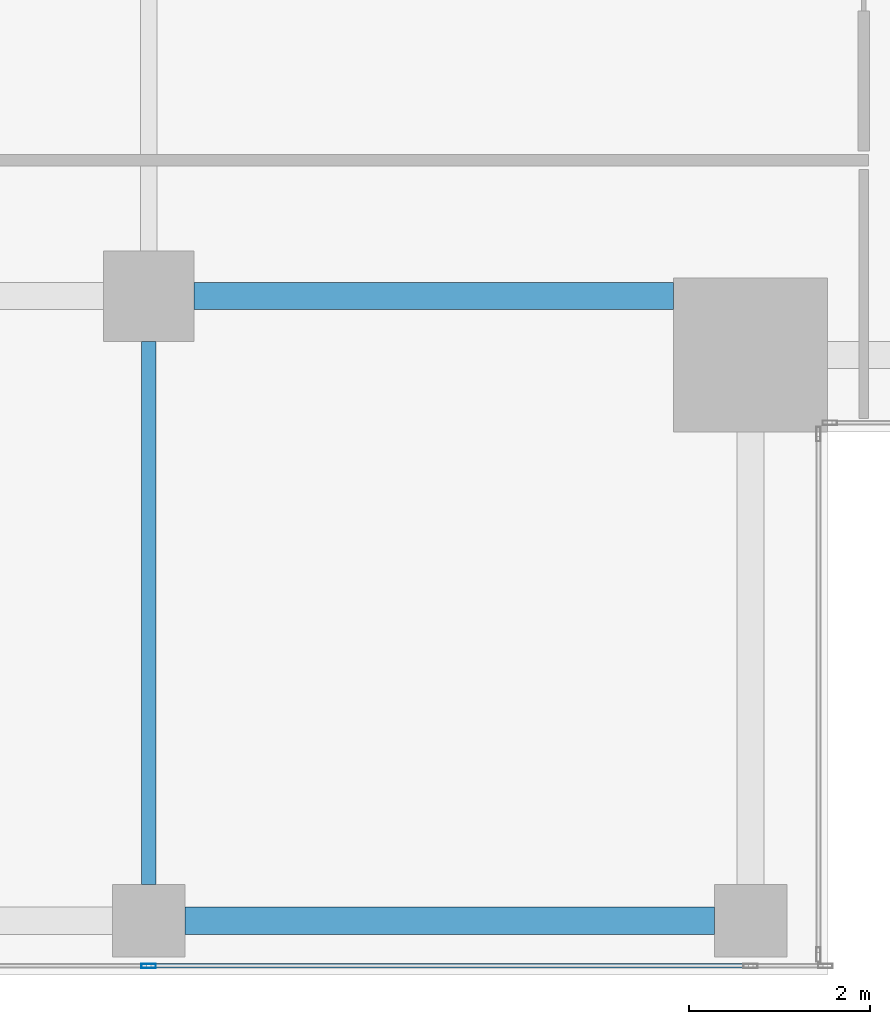
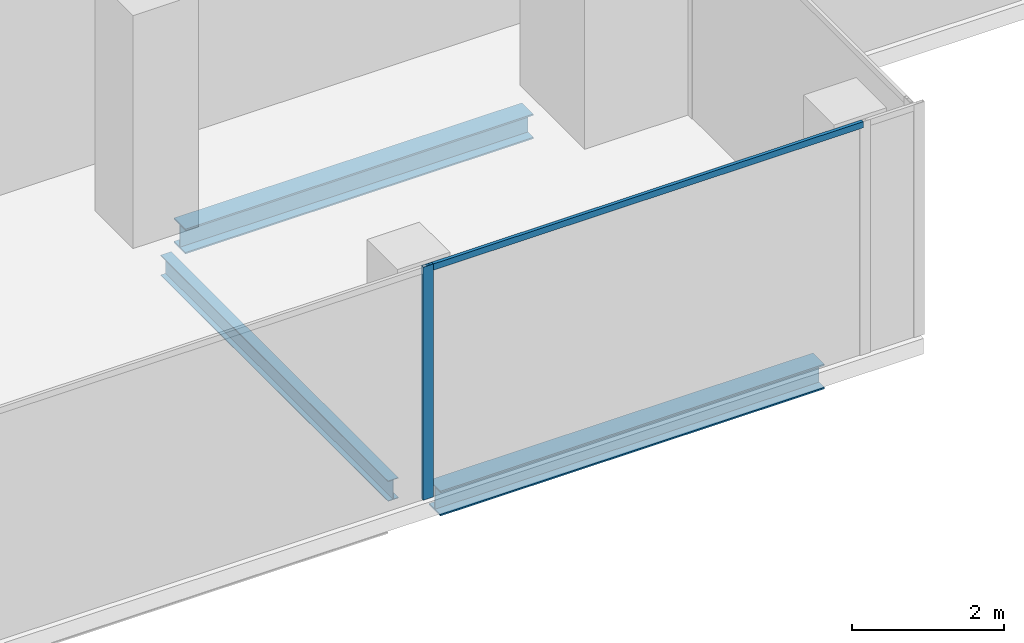
# One storey, part 7 of 29: 3 beams, 2 members, 1 element without a shape of its own.
"""IFC4 building model written with IfcOpenShell, lengths in metres."""

from ifc_helpers import new_model, si_unit, direction, frame, origin, origin_2d, place, context, subcontext, project, spatial, hollow_rectangle, i_section, extrude, source, transform, mapped, material, material_profile, profile_set, type_object, element, aggregate, save


model = new_model("IFC4")

# Units and contexts
model_context = context("Model", 3, precision=1e-05, world=origin(), true_north=direction((0.0, 1.0)))
body_context = subcontext(model_context, "Body", "Model", "MODEL_VIEW")
ifc_project = project(units=[si_unit("LENGTHUNIT", "METRE"), si_unit("AREAUNIT", "SQUARE_METRE"), si_unit("VOLUMEUNIT", "CUBIC_METRE"), si_unit("PLANEANGLEUNIT", "RADIAN"), si_unit("MASSUNIT", "GRAM", prefix="KILO")], contexts=[model_context])

# Site, building, storey
site_placement = place(None, origin())
site = spatial("IfcSite", under=ifc_project, at=site_placement, CompositionType="ELEMENT")
building_placement = place(site_placement, origin())
building = spatial("IfcBuilding", under=site, at=building_placement, Name="Khomas Fold Tower", CompositionType="ELEMENT")
storey_placement = place(building_placement, frame((0.0, 0.0, 310.199951171875)))
storey = spatial("IfcBuildingStorey", under=building, at=storey_placement, Name="L70", CompositionType="ELEMENT", Elevation=310.199951171875)

# Beams
ifc_material_1 = material(Name="Steel S355", Category="steel")
ifc_material_profile_1 = material_profile(ifc_material_1, i_section(OverallWidth=0.300048828125, OverallDepth=0.39990234375, WebThickness=0.013427734375, FlangeThickness=0.02392578125, at=origin_2d()), Name="HE 400 B")
ifc_profile_set_1 = profile_set([ifc_material_profile_1], Name="Steel S355")
beam_type_1 = type_object("IfcBeamType", Name="HE 400 B spandrel SB5", PredefinedType="SPANDREL", material=ifc_profile_set_1)
shared_shape_1 = source(origin(), body_context, "Body", "SweptSolid", [
    extrude(i_section(OverallWidth=0.300048828125, OverallDepth=0.39990234375, WebThickness=0.013427734375, FlangeThickness=0.02392578125, at=origin_2d()), origin(), (0.0, 0.0, 1.0), 5.85009765625),
])
beam_1_placement = place(storey_placement, frame((34.89990234375, 6.60009765625, -0.449951171875), z_axis=(1.0, 0.0, 0.0), x_axis=(0.0, 1.0, 0.0)))
element("IfcBeam", 1, at=beam_1_placement, inside=storey, type_object=beam_type_1, Name="SB5", PredefinedType="SPANDREL", context=body_context, shape_type="MappedRepresentation", body=[
    mapped(shared_shape_1, transform((0.0, 0.0, 0.0))),
])
ifc_material_2 = material(Name="Steel S355", Category="steel")
ifc_material_profile_2 = material_profile(ifc_material_2, i_section(OverallWidth=0.300048828125, OverallDepth=0.39990234375, WebThickness=0.013427734375, FlangeThickness=0.02392578125, at=origin_2d()), Name="HE 400 B")
ifc_profile_set_2 = profile_set([ifc_material_profile_2], Name="Steel S355")
beam_type_2 = type_object("IfcBeamType", Name="HE 400 B beam GB1", PredefinedType="BEAM", material=ifc_profile_set_2)
shared_shape_2 = source(origin(), body_context, "Body", "SweptSolid", [
    extrude(i_section(OverallWidth=0.300048828125, OverallDepth=0.39990234375, WebThickness=0.013427734375, FlangeThickness=0.02392578125, at=origin_2d()), origin(), (0.0, 0.0, 1.0), 5.300048828125),
])
beam_2_placement = place(storey_placement, frame((35.0, 13.5, -0.449951171875), z_axis=(1.0, 0.0, 0.0), x_axis=(0.0, 1.0, 0.0)))
element("IfcBeam", 2, at=beam_2_placement, inside=storey, type_object=beam_type_2, Name="GB1", PredefinedType="BEAM", context=body_context, shape_type="MappedRepresentation", body=[
    mapped(shared_shape_2, transform((0.0, 0.0, 0.0))),
])
ifc_material_3 = material(Name="Steel S355", Category="steel")
ifc_material_profile_3 = material_profile(ifc_material_3, i_section(OverallWidth=0.159912109375, OverallDepth=0.330078125, WebThickness=0.007568359375, FlangeThickness=0.011474609375, at=origin_2d()), Name="IPE 330")
ifc_profile_set_3 = profile_set([ifc_material_profile_3], Name="Steel S355")
beam_type_3 = type_object("IfcBeamType", Name="IPE 330 beam JB1", PredefinedType="BEAM", material=ifc_profile_set_3)
shared_shape_3 = source(origin(), body_context, "Body", "SweptSolid", [
    extrude(i_section(OverallWidth=0.159912109375, OverallDepth=0.330078125, WebThickness=0.007568359375, FlangeThickness=0.011474609375, at=origin_2d()), origin(), (0.0, 0.0, 1.0), 6.0),
])
beam_3_placement = place(storey_placement, frame((34.5, 7.0, -0.4150390625), z_axis=(0.0, 1.0, 0.0), x_axis=(-1.0, 0.0, 0.0)))
element("IfcBeam", 3, at=beam_3_placement, inside=storey, type_object=beam_type_3, Name="JB1", PredefinedType="BEAM", context=body_context, shape_type="MappedRepresentation", body=[
    mapped(shared_shape_3, transform((0.0, 0.0, 0.0))),
])

# Curtain wall, members
ifc_material_4 = material(Name="Aluminium framed double glazing", Category="aluminium")
curtain_wall_type = type_object("IfcCurtainWallType", Name="SK-Unitised clear-glass wall, upper floors CW3", PredefinedType="NOTDEFINED", material=ifc_material_4)
curtain_wall_placement = place(storey_placement, origin())
curtain_wall = element("IfcCurtainWall", 4, at=curtain_wall_placement, inside=storey, type_object=curtain_wall_type, Name="CW3 run L70 00-0", PredefinedType="NOTDEFINED")
ifc_material_5 = material(Name="Aluminium", Category="aluminium")
ifc_material_profile_4 = material_profile(ifc_material_5, hollow_rectangle(XDim=0.050048828125, YDim=0.159912109375, WallThickness=0.00390625, at=origin_2d()), Name="SK-Unitised clear-glass wall, upper floors mullion CW3-M")
ifc_profile_set_4 = profile_set([ifc_material_profile_4], Name="Aluminium")
member_type_1 = type_object("IfcMemberType", Name="SK-Unitised clear-glass wall, upper floors mullion CW3-M", PredefinedType="MULLION", material=ifc_profile_set_4)
shared_shape_4 = source(origin(), body_context, "Body", "SweptSolid", [
    extrude(hollow_rectangle(XDim=0.050048828125, YDim=0.159912109375, WallThickness=0.00390625, at=origin_2d()), origin(), (0.0, 0.0, 1.0), 3.75),
])
member_1_placement = place(storey_placement, frame((34.5, 6.10009765625, 0.0), z_axis=(0.0, 0.0, 1.0), x_axis=(0.0, 1.0, 0.0)))
member_1 = element("IfcMember", 5, at=member_1_placement, type_object=member_type_1, Name="CW3 mullion 5", PredefinedType="MULLION", context=body_context, shape_type="MappedRepresentation", body=[
    mapped(shared_shape_4, transform((0.0, 0.0, 0.0))),
])
ifc_material_6 = material(Name="Aluminium", Category="aluminium")
ifc_material_profile_5 = material_profile(ifc_material_6, hollow_rectangle(XDim=0.050048828125, YDim=0.10009765625, WallThickness=0.00390625, at=origin_2d()), Name="SK-Unitised clear-glass wall, upper floors transom CW3-T")
ifc_profile_set_5 = profile_set([ifc_material_profile_5], Name="Aluminium")
member_type_2 = type_object("IfcMemberType", Name="SK-Unitised clear-glass wall, upper floors transom CW3-T", PredefinedType="USERDEFINED", material=ifc_profile_set_5)
shared_shape_5 = source(origin(), body_context, "Body", "SweptSolid", [
    extrude(hollow_rectangle(XDim=0.050048828125, YDim=0.10009765625, WallThickness=0.00390625, at=origin_2d()), origin(), (0.0, 0.0, 1.0), 6.60009765625),
])
member_2_placement = place(storey_placement, frame((34.52490234375, 6.10009765625, 3.699951171875), z_axis=(1.0, 0.0, 0.0), x_axis=(0.0, 1.0, 0.0)))
member_2 = element("IfcMember", 6, at=member_2_placement, type_object=member_type_2, Name="CW3 transom 5", ObjectType="TRANSOM", PredefinedType="USERDEFINED", context=body_context, shape_type="MappedRepresentation", body=[
    mapped(shared_shape_5, transform((0.0, 0.0, 0.0))),
])
aggregate(curtain_wall, [member_1, member_2])

save(model, "model.ifc")
